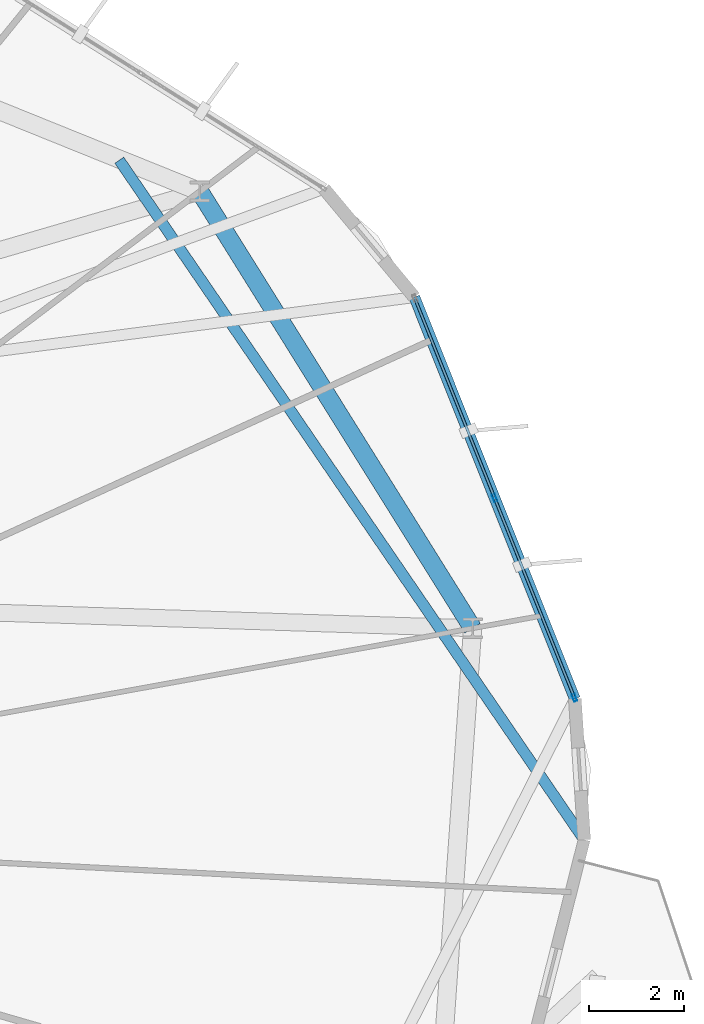
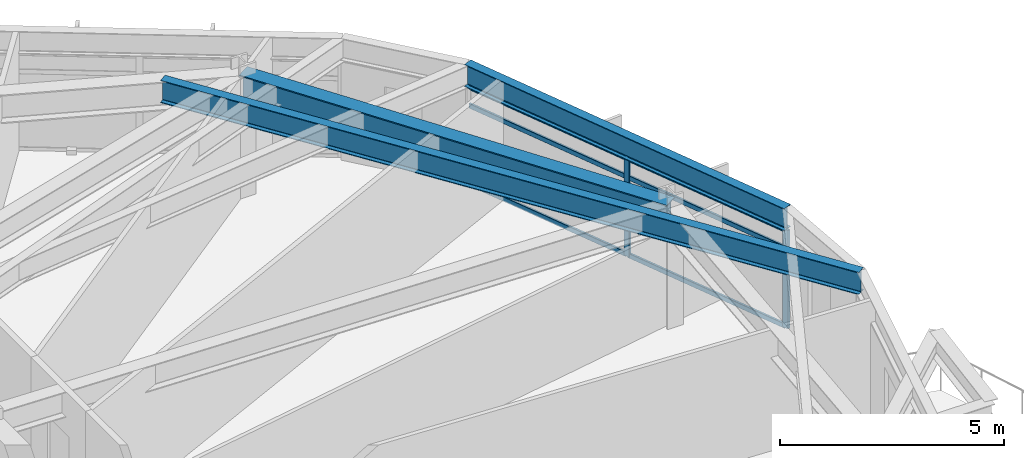
# One storey, part 11 of 24: 8 members, 3 beams, 1 element without a shape of its own.
"""IFC4 building model written with IfcOpenShell, lengths in metres."""

from ifc_helpers import new_model, si_unit, direction, frame, origin, origin_2d, place, context, subcontext, project, spatial, hollow_rectangle, i_section, extrude, material, layer, layer_set, material_profile, profile_set, type_object, element, aggregate, save


model = new_model("IFC4")

# Units and contexts
model_context = context("Model", 3, precision=1e-05, world=origin(), true_north=direction((0.0, 1.0)))
body_context = subcontext(model_context, "Body", "Model", "MODEL_VIEW")
ifc_project = project(units=[si_unit("LENGTHUNIT", "METRE"), si_unit("AREAUNIT", "SQUARE_METRE"), si_unit("VOLUMEUNIT", "CUBIC_METRE"), si_unit("PLANEANGLEUNIT", "RADIAN"), si_unit("MASSUNIT", "GRAM", prefix="KILO")], contexts=[model_context])

# Site, building, storey
site_placement = place(None, origin())
site = spatial("IfcSite", under=ifc_project, at=site_placement, CompositionType="ELEMENT")
building_placement = place(site_placement, origin())
building = spatial("IfcBuilding", under=site, at=building_placement, Name="Soratama Intermodal Tower", CompositionType="ELEMENT")
storey_placement = place(building_placement, frame((0.0, 0.0, 178.60009765625)))
storey = spatial("IfcBuildingStorey", under=building, at=storey_placement, Name="L44", CompositionType="ELEMENT", Elevation=178.60009765625)

# Beams
ifc_material_1 = material(Name="Structural steel ASTM A992 Grade 50", Category="steel")
ifc_material_profile_1 = material_profile(ifc_material_1, i_section(OverallWidth=0.382080078125, OverallDepth=0.779052734375, WebThickness=0.01806640625, FlangeThickness=0.030029296875, FilletRadius=0.01806640625, at=origin_2d()), Name="W30X191")
ifc_profile_set_1 = profile_set([ifc_material_profile_1], Name="Structural steel ASTM A992 Grade 50")
beam_type_1 = type_object("IfcBeamType", Name="BM-RING-W30X191", PredefinedType="BEAM", material=ifc_profile_set_1)
beam_1_placement = place(storey_placement, frame((61.97998046875, 29.23388671875, 2.910400390625), z_axis=(-0.529891394359, 0.84806551055, 0.0), x_axis=(-0.84806551055, -0.529891394359, 0.0)))
element("IfcBeam", 1, at=beam_1_placement, inside=storey, type_object=beam_type_1, Name="BM-L44-RING-01", PredefinedType="BEAM", context=body_context, shape_type="SweptSolid", body=[
    extrude(i_section(OverallWidth=0.382080078125, OverallDepth=0.779052734375, WebThickness=0.01806640625, FlangeThickness=0.030029296875, FilletRadius=0.01806640625, at=origin_2d()), origin(), (0.0, 0.0, 1.0), 10.8154296875),
])
ifc_material_2 = material(Name="Structural steel ASTM A992 Grade 50", Category="steel")
ifc_material_profile_2 = material_profile(ifc_material_2, i_section(OverallWidth=0.22900390625, OverallDepth=0.612060546875, WebThickness=0.011962890625, FlangeThickness=0.01953125, FilletRadius=0.012939453125, at=origin_2d()), Name="W24X84")
ifc_profile_set_2 = profile_set([ifc_material_profile_2], Name="Structural steel ASTM A992 Grade 50")
beam_type_2 = type_object("IfcBeamType", Name="BM-SPN-W24X84", PredefinedType="SPANDREL", material=ifc_profile_set_2)
beam_2_placement = place(storey_placement, frame((64.1279296875, 27.75, 2.993896484375), z_axis=(-0.370941319201, 0.928656307634, 0.0), x_axis=(-0.928656307634, -0.370941319201, 0.0)))
element("IfcBeam", 2, at=beam_2_placement, inside=storey, type_object=beam_type_2, Name="BS-L44-F10", PredefinedType="SPANDREL", context=body_context, shape_type="SweptSolid", body=[
    extrude(i_section(OverallWidth=0.22900390625, OverallDepth=0.612060546875, WebThickness=0.011962890625, FlangeThickness=0.01953125, FilletRadius=0.012939453125, at=origin_2d()), origin(), (0.0, 0.0, 1.0), 9.08740234375),
])
ifc_material_3 = material(Name="Structural steel ASTM A992 Grade 50", Category="steel")
ifc_material_profile_3 = material_profile(ifc_material_3, i_section(OverallWidth=0.22900390625, OverallDepth=0.612060546875, WebThickness=0.011962890625, FlangeThickness=0.01953125, FilletRadius=0.012939453125, at=origin_2d()), Name="W24X84")
ifc_profile_set_3 = profile_set([ifc_material_profile_3], Name="Structural steel ASTM A992 Grade 50")
beam_type_3 = type_object("IfcBeamType", Name="BM-TIE-W24X84", PredefinedType="BEAM", material=ifc_profile_set_3)
beam_3_placement = place(storey_placement, frame((54.55810546875, 39.06494140625, 2.993896484375), z_axis=(0.564637865918, -0.825338767036, 0.0), x_axis=(0.825338767036, 0.564637865918, 0.0)))
element("IfcBeam", 3, at=beam_3_placement, inside=storey, type_object=beam_type_3, Name="BM-L44-TIE1-09", PredefinedType="BEAM", context=body_context, shape_type="SweptSolid", body=[
    extrude(i_section(OverallWidth=0.22900390625, OverallDepth=0.612060546875, WebThickness=0.011962890625, FlangeThickness=0.01953125, FilletRadius=0.012939453125, at=origin_2d()), origin(), (0.0, 0.0, 1.0), 17.2958984375),
])

# Curtain wall, members
ifc_material_4 = material(Name="Double-glazed aluminium curtain wall", Category="aluminium")
ifc_layer = layer(ifc_material_4, 0.159912109375)
ifc_layer_set = layer_set([ifc_layer], Name="Double-glazed aluminium curtain wall")
curtain_wall_type = type_object("IfcCurtainWallType", Name="CW-SYS-4", PredefinedType="NOTDEFINED", material=ifc_layer_set)
curtain_wall_placement = place(storey_placement, origin())
curtain_wall = element("IfcCurtainWall", 4, at=curtain_wall_placement, inside=storey, type_object=curtain_wall_type, Name="L44 Faceted Curtain Wall F10", PredefinedType="NOTDEFINED")
ifc_material_5 = material(Name="Anodised aluminium AA 6063-T6", Category="aluminium")
ifc_material_profile_4 = material_profile(ifc_material_5, hollow_rectangle(XDim=0.070068359375, YDim=0.159912109375, WallThickness=0.0048828125, InnerFilletRadius=0.0048828125, OuterFilletRadius=0.010009765625, at=origin_2d()), Name="CWM160X70X5")
ifc_profile_set_4 = profile_set([ifc_material_profile_4], Name="Anodised aluminium AA 6063-T6")
member_type_1 = type_object("IfcMemberType", Name="MT-CWM-4", PredefinedType="MULLION", material=ifc_profile_set_4)
member_1_placement = place(storey_placement, frame((64.1171875, 27.778076171875, 0.0), z_axis=(0.0, 0.0, 1.0), x_axis=(-0.928617788795, -0.371037737075, 0.0)))
member_1 = element("IfcMember", 5, at=member_1_placement, type_object=member_type_1, Name="CW-4 mullion 1", PredefinedType="MULLION", context=body_context, shape_type="SweptSolid", body=[
    extrude(hollow_rectangle(XDim=0.070068359375, YDim=0.159912109375, WallThickness=0.0048828125, InnerFilletRadius=0.0048828125, OuterFilletRadius=0.010009765625, at=origin_2d()), origin(), (0.0, 0.0, 1.0), 2.678955078125),
])
member_2_placement = place(storey_placement, frame((62.4423828125, 31.969482421875, 0.0), z_axis=(0.0, 0.0, 1.0), x_axis=(-0.928617788795, -0.371037737075, 0.0)))
member_2 = element("IfcMember", 6, at=member_2_placement, type_object=member_type_1, Name="CW-4 mullion 2", PredefinedType="MULLION", context=body_context, shape_type="SweptSolid", body=[
    extrude(hollow_rectangle(XDim=0.070068359375, YDim=0.159912109375, WallThickness=0.0048828125, InnerFilletRadius=0.0048828125, OuterFilletRadius=0.010009765625, at=origin_2d()), origin(), (0.0, 0.0, 1.0), 2.678955078125),
])
ifc_material_6 = material(Name="Anodised aluminium AA 6063-T6", Category="aluminium")
ifc_material_profile_5 = material_profile(ifc_material_6, hollow_rectangle(XDim=0.06005859375, YDim=0.1298828125, WallThickness=0.0048828125, InnerFilletRadius=0.0048828125, OuterFilletRadius=0.010009765625, at=origin_2d()), Name="CWT130X60X5")
ifc_profile_set_5 = profile_set([ifc_material_profile_5], Name="Anodised aluminium AA 6063-T6")
member_type_2 = type_object("IfcMemberType", Name="TT-CWT-2", PredefinedType="USERDEFINED", material=ifc_profile_set_5)
member_3_placement = place(storey_placement, frame((64.10595703125, 27.805908203125, 0.02978515625), z_axis=(-0.371012585949, 0.928627837762, 0.0), x_axis=(-0.928627837762, -0.371012585949, 0.0)))
member_3 = element("IfcMember", 7, at=member_3_placement, type_object=member_type_2, Name="CW-4 transom 1.1", ObjectType="TRANSOM", PredefinedType="USERDEFINED", context=body_context, shape_type="SweptSolid", body=[
    extrude(hollow_rectangle(XDim=0.06005859375, YDim=0.1298828125, WallThickness=0.0048828125, InnerFilletRadius=0.0048828125, OuterFilletRadius=0.010009765625, at=origin_2d()), origin(), (0.0, 0.0, 1.0), 4.45361328125),
])
member_4_placement = place(storey_placement, frame((64.10595703125, 27.805908203125, 2.14990234375), z_axis=(-0.371012585949, 0.928627837762, 0.0), x_axis=(-0.928627837762, -0.371012585949, 0.0)))
member_4 = element("IfcMember", 8, at=member_4_placement, type_object=member_type_2, Name="CW-4 transom 1.2", ObjectType="TRANSOM", PredefinedType="USERDEFINED", context=body_context, shape_type="SweptSolid", body=[
    extrude(hollow_rectangle(XDim=0.06005859375, YDim=0.1298828125, WallThickness=0.0048828125, InnerFilletRadius=0.0048828125, OuterFilletRadius=0.010009765625, at=origin_2d()), origin(), (0.0, 0.0, 1.0), 4.45361328125),
])
member_5_placement = place(storey_placement, frame((64.10595703125, 27.805908203125, 2.64892578125), z_axis=(-0.371012585949, 0.928627837762, 0.0), x_axis=(-0.928627837762, -0.371012585949, 0.0)))
member_5 = element("IfcMember", 9, at=member_5_placement, type_object=member_type_2, Name="CW-4 transom 1.3", ObjectType="TRANSOM", PredefinedType="USERDEFINED", context=body_context, shape_type="SweptSolid", body=[
    extrude(hollow_rectangle(XDim=0.06005859375, YDim=0.1298828125, WallThickness=0.0048828125, InnerFilletRadius=0.0048828125, OuterFilletRadius=0.010009765625, at=origin_2d()), origin(), (0.0, 0.0, 1.0), 4.45361328125),
])
member_6_placement = place(storey_placement, frame((62.431396484375, 31.997314453125, 0.02978515625), z_axis=(-0.371031473645, 0.928620291381, 0.0), x_axis=(-0.928620291381, -0.371031473645, 0.0)))
member_6 = element("IfcMember", 10, at=member_6_placement, type_object=member_type_2, Name="CW-4 transom 2.1", ObjectType="TRANSOM", PredefinedType="USERDEFINED", context=body_context, shape_type="SweptSolid", body=[
    extrude(hollow_rectangle(XDim=0.06005859375, YDim=0.1298828125, WallThickness=0.0048828125, InnerFilletRadius=0.0048828125, OuterFilletRadius=0.010009765625, at=origin_2d()), origin(), (0.0, 0.0, 1.0), 4.453369140625),
])
member_7_placement = place(storey_placement, frame((62.431396484375, 31.997314453125, 2.14990234375), z_axis=(-0.371031473645, 0.928620291381, 0.0), x_axis=(-0.928620291381, -0.371031473645, 0.0)))
member_7 = element("IfcMember", 11, at=member_7_placement, type_object=member_type_2, Name="CW-4 transom 2.2", ObjectType="TRANSOM", PredefinedType="USERDEFINED", context=body_context, shape_type="SweptSolid", body=[
    extrude(hollow_rectangle(XDim=0.06005859375, YDim=0.1298828125, WallThickness=0.0048828125, InnerFilletRadius=0.0048828125, OuterFilletRadius=0.010009765625, at=origin_2d()), origin(), (0.0, 0.0, 1.0), 4.453369140625),
])
member_8_placement = place(storey_placement, frame((62.431396484375, 31.997314453125, 2.64892578125), z_axis=(-0.371031473645, 0.928620291381, 0.0), x_axis=(-0.928620291381, -0.371031473645, 0.0)))
member_8 = element("IfcMember", 12, at=member_8_placement, type_object=member_type_2, Name="CW-4 transom 2.3", ObjectType="TRANSOM", PredefinedType="USERDEFINED", context=body_context, shape_type="SweptSolid", body=[
    extrude(hollow_rectangle(XDim=0.06005859375, YDim=0.1298828125, WallThickness=0.0048828125, InnerFilletRadius=0.0048828125, OuterFilletRadius=0.010009765625, at=origin_2d()), origin(), (0.0, 0.0, 1.0), 4.453369140625),
])
aggregate(curtain_wall, [member_1, member_2, member_3, member_4, member_5, member_6, member_7, member_8])

save(model, "model.ifc")
